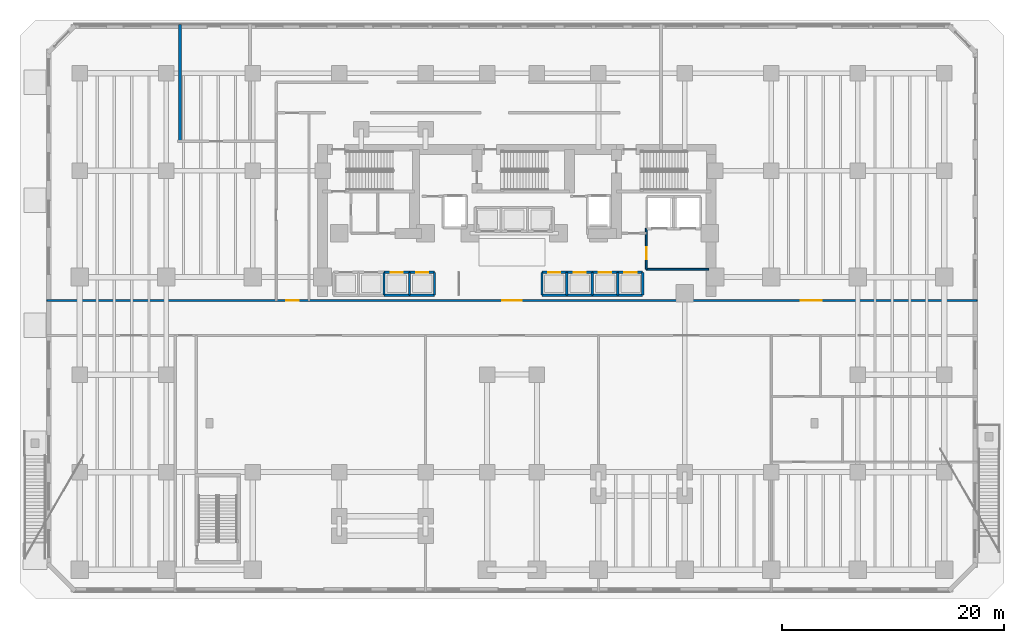
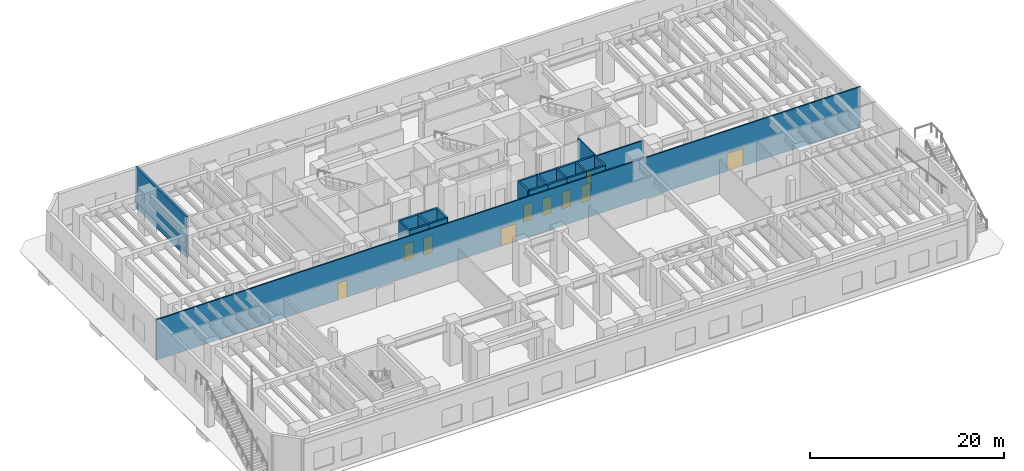
# One storey, part 7 of 17: 24 walls, 10 doors, 10 openings.
"""IFC4 building model written with IfcOpenShell, lengths in metres."""

from ifc_helpers import new_model, si_unit, direction, frame, frame_2d, origin, place, context, subcontext, project, spatial, rectangle, extrude, material, layer, layer_set, type_object, element, fill, save


model = new_model("IFC4")

# Units and contexts
model_context = context("Model", 3, precision=1e-05, world=origin(), true_north=direction((0.0, 1.0)))
body_context = subcontext(model_context, "Body", "Model", "MODEL_VIEW")
ifc_project = project(units=[si_unit("LENGTHUNIT", "METRE"), si_unit("AREAUNIT", "SQUARE_METRE"), si_unit("VOLUMEUNIT", "CUBIC_METRE"), si_unit("PLANEANGLEUNIT", "RADIAN"), si_unit("MASSUNIT", "GRAM", prefix="KILO")], contexts=[model_context])

# Site, building, storey
site_placement = place(None, origin())
site = spatial("IfcSite", under=ifc_project, at=site_placement, CompositionType="ELEMENT")
building_placement = place(site_placement, origin())
building = spatial("IfcBuilding", under=site, at=building_placement, Name="Kestravale Grand Hotel", CompositionType="ELEMENT")
storey_placement = place(building_placement, origin())
storey = spatial("IfcBuildingStorey", under=building, at=storey_placement, Name="L00", CompositionType="ELEMENT", Elevation=0.0)

# Wall, opening, door
ifc_material_1 = material(Name="Acoustic fire-rated gypsum board partition", Category="other")
ifc_layer_1 = layer(ifc_material_1, 0.159912109375)
ifc_layer_set_1 = layer_set([ifc_layer_1], Name="IW-CORR-160")
wall_type_1 = type_object("IfcWallType", Name="IW-CORR-160", PredefinedType="PARTITIONING", material=ifc_layer_set_1)
wall_1_placement = place(storey_placement, frame((51.1201171875, 29.5, 0.0), z_axis=(0.0, 0.0, 1.0), x_axis=(0.0, 1.0, 0.0)))
wall_1 = element("IfcWall", 1, at=wall_1_placement, inside=storey, type_object=wall_type_1, Name="W-L00-SVCLOB-W", PredefinedType="PARTITIONING", context=body_context, shape_type="SweptSolid", body=[
    extrude(rectangle(XDim=3.699951171875, YDim=0.159912109375, at=frame_2d((1.85009765625, 0.0))), origin(), (0.0, 0.0, 1.0), 5.10009765625),
])
opening_1_placement = place(wall_1_placement, frame((0.89990234375, 0.0, 0.0)))
opening_1 = element("IfcOpeningElement", 2, at=opening_1_placement, cuts=wall_1, Name="Opening D-CORR-1100", PredefinedType="OPENING", context=body_context, shape_type="SweptSolid", body=[
    extrude(rectangle(XDim=1.10009765625, YDim=2.14990234375, at=frame_2d((0.550048828125, 1.074951171875))), frame((0.0, 0.08984375, 0.0), z_axis=(0.0, -1.0, 0.0), x_axis=(1.0, 0.0, 0.0)), (0.0, 0.0, 1.0), 0.179931640625),
])
ifc_material_2 = material(Name="Single-leaf service vestibule fire door", Category="steel")
door_type_1 = type_object("IfcDoorType", Name="D-CORR-1100", OperationType="NOTDEFINED", PredefinedType="DOOR", material=ifc_material_2)
door_1_placement = place(opening_1_placement, origin())
door_1 = element("IfcDoor", 3, at=door_1_placement, inside=storey, type_object=door_type_1, Name="L00 service lift lobby door", OperationType="SINGLE_SWING_LEFT", OverallHeight=2.14990234375, OverallWidth=1.10009765625, PredefinedType="DOOR", context=body_context, shape_type="SweptSolid", body=[
    extrude(rectangle(XDim=1.10009765625, YDim=2.14990234375, at=frame_2d((0.550048828125, 1.074951171875))), frame((0.0, 0.02490234375, 0.0), z_axis=(0.0, -1.0, 0.0), x_axis=(1.0, 0.0, 0.0)), (0.0, 0.0, 1.0), 0.050048828125),
])
fill(opening_1, door_1)

# Wall
wall_2_placement = place(storey_placement, frame((51.1201171875, 29.5, 0.0), z_axis=(0.0, 0.0, 1.0), x_axis=(1.0, 0.0, 0.0)))
element("IfcWall", 4, at=wall_2_placement, inside=storey, type_object=wall_type_1, Name="L00 service lift lobby wall", PredefinedType="PARTITIONING", context=body_context, shape_type="SweptSolid", body=[
    extrude(rectangle(XDim=5.6298828125, YDim=0.159912109375, at=frame_2d((2.81494140625, 0.0))), origin(), (0.0, 0.0, 1.0), 5.10009765625),
])

# Wall, openings, doors
wall_3_placement = place(storey_placement, frame((-2.97998046875, 26.679931640625, 0.0), z_axis=(0.0, 0.0, 1.0), x_axis=(1.0, 0.0, 0.0)))
wall_3 = element("IfcWall", 5, at=wall_3_placement, inside=storey, type_object=wall_type_1, Name="W-L00-MC-N", PredefinedType="PARTITIONING", context=body_context, shape_type="SweptSolid", body=[
    extrude(rectangle(XDim=83.9599609375, YDim=0.159912109375, at=frame_2d((41.97998046875, 0.0))), origin(), (0.0, 0.0, 1.0), 5.10009765625),
])
opening_2_placement = place(wall_3_placement, frame((41.080078125, 0.0, 0.0)))
opening_2 = element("IfcOpeningElement", 6, at=opening_2_placement, cuts=wall_3, Name="Opening D-CORR-1800", PredefinedType="OPENING", context=body_context, shape_type="SweptSolid", body=[
    extrude(rectangle(XDim=1.800048828125, YDim=2.199951171875, at=frame_2d((0.89990234375, 1.10009765625))), frame((0.0, 0.08984375, 0.0), z_axis=(0.0, -1.0, 0.0), x_axis=(1.0, 0.0, 0.0)), (0.0, 0.0, 1.0), 0.179931640625),
])
opening_3_placement = place(wall_3_placement, frame((21.6298828125, 0.0, 0.0)))
opening_3 = element("IfcOpeningElement", 7, at=opening_3_placement, cuts=wall_3, Name="Opening D-CORR-1100", PredefinedType="OPENING", context=body_context, shape_type="SweptSolid", body=[
    extrude(rectangle(XDim=1.10009765625, YDim=2.14990234375, at=frame_2d((0.550048828125, 1.074951171875))), frame((0.0, 0.08984375, 0.0), z_axis=(0.0, -1.0, 0.0), x_axis=(1.0, 0.0, 0.0)), (0.0, 0.0, 1.0), 0.179931640625),
])
opening_4_placement = place(wall_3_placement, frame((68.030029296875, 0.0, 0.0)))
opening_4 = element("IfcOpeningElement", 8, at=opening_4_placement, cuts=wall_3, Name="Opening D-PLT-1900", PredefinedType="OPENING", context=body_context, shape_type="SweptSolid", body=[
    extrude(rectangle(XDim=1.89990234375, YDim=2.25, at=frame_2d((0.949951171875, 1.125))), frame((0.0, 0.08984375, 0.0), z_axis=(0.0, -1.0, 0.0), x_axis=(1.0, 0.0, 0.0)), (0.0, 0.0, 1.0), 0.179931640625),
])
door_2_placement = place(opening_3_placement, origin())
door_2 = element("IfcDoor", 9, at=door_2_placement, inside=storey, type_object=door_type_1, Name="L00 West Arrival Corridor South Door", OperationType="SINGLE_SWING_RIGHT", OverallHeight=2.14990234375, OverallWidth=1.10009765625, PredefinedType="DOOR", context=body_context, shape_type="SweptSolid", body=[
    extrude(rectangle(XDim=1.10009765625, YDim=2.14990234375, at=frame_2d((0.550048828125, 1.074951171875))), frame((0.0, 0.02490234375, 0.0), z_axis=(0.0, -1.0, 0.0), x_axis=(1.0, 0.0, 0.0)), (0.0, 0.0, 1.0), 0.050048828125),
])
fill(opening_3, door_2)
ifc_material_3 = material(Name="Double-leaf glazed bronze acoustic corridor fire door", Category="aluminium")
door_type_2 = type_object("IfcDoorType", Name="D-CORR-1800", OperationType="NOTDEFINED", PredefinedType="DOOR", material=ifc_material_3)
door_3_placement = place(opening_2_placement, origin())
door_3 = element("IfcDoor", 10, at=door_3_placement, inside=storey, type_object=door_type_2, Name="D-L00-MC-LFT", OperationType="DOUBLE_DOOR_SINGLE_SWING", OverallHeight=2.199951171875, OverallWidth=1.800048828125, PredefinedType="DOOR", context=body_context, shape_type="SweptSolid", body=[
    extrude(rectangle(XDim=1.800048828125, YDim=2.199951171875, at=frame_2d((0.89990234375, 1.10009765625))), frame((0.0, 0.02490234375, 0.0), z_axis=(0.0, -1.0, 0.0), x_axis=(1.0, 0.0, 0.0)), (0.0, 0.0, 1.0), 0.050048828125),
])
fill(opening_2, door_3)
ifc_material_4 = material(Name="Heavy-duty double plant room fire door", Category="steel")
door_type_3 = type_object("IfcDoorType", Name="D-PLT-1900", OperationType="NOTDEFINED", PredefinedType="DOOR", material=ifc_material_4)
door_4_placement = place(opening_4_placement, origin())
door_4 = element("IfcDoor", 11, at=door_4_placement, inside=storey, type_object=door_type_3, Name="D-L00-DOCK", OperationType="DOUBLE_DOOR_SINGLE_SWING", OverallHeight=2.25, OverallWidth=1.89990234375, PredefinedType="DOOR", context=body_context, shape_type="SweptSolid", body=[
    extrude(rectangle(XDim=1.89990234375, YDim=2.25, at=frame_2d((0.949951171875, 1.125))), frame((0.0, 0.02490234375, 0.0), z_axis=(0.0, -1.0, 0.0), x_axis=(1.0, 0.0, 0.0)), (0.0, 0.0, 1.0), 0.050048828125),
])
fill(opening_4, door_4)

# Walls
ifc_material_5 = material(Name="Concrete f'c 45 MPa", Category="concrete")
ifc_layer_2 = layer(ifc_material_5, 0.199951171875)
ifc_layer_set_2 = layer_set([ifc_layer_2], Name="IW-SHAFT-200")
wall_type_2 = type_object("IfcWallType", Name="IW-SHAFT-200", PredefinedType="SHEAR", material=ifc_layer_set_2)
for number, where, z_axis, x_axis, name in (
    (12, (27.449951171875, 27.169921875, 0.0), (0.0, 0.0, 1.0), (0.0, 1.0, 0.0), "L00 PL-L3 west shaft wall"),
    (13, (29.75, 27.169921875, 0.0), (0.0, 0.0, 1.0), (0.0, 1.0, 0.0), "L00 PL-L4 west shaft wall"),
    (14, (31.9951171875, 27.169921875, 0.0), (0.0, 0.0, 1.0), (0.0, 1.0, 0.0), "L00 PL-L4 east shaft wall"),
    (15, (41.705078125, 27.169921875, 0.0), (0.0, 0.0, 1.0), (0.0, 1.0, 0.0), "L00 PL-M1 west shaft wall"),
    (16, (43.949951171875, 27.169921875, 0.0), (0.0, 0.0, 1.0), (0.0, 1.0, 0.0), "L00 PL-M2 west shaft wall"),
    (17, (46.25, 27.169921875, 0.0), (0.0, 0.0, 1.0), (0.0, 1.0, 0.0), "L00 PL-M3 west shaft wall"),
    (18, (48.550048828125, 27.169921875, 0.0), (0.0, 0.0, 1.0), (0.0, 1.0, 0.0), "L00 PL-M4 west shaft wall"),
    (19, (50.794921875, 27.169921875, 0.0), (0.0, 0.0, 1.0), (0.0, 1.0, 0.0), "L00 PL-M4 east shaft wall"),
):
    element("IfcWall", number, at=place(storey_placement, frame(where, z_axis=z_axis, x_axis=x_axis)), inside=storey, type_object=wall_type_2, Name=name, PredefinedType="SHEAR", context=body_context, shape_type="SweptSolid", body=[
        extrude(rectangle(XDim=2.06005859375, YDim=0.199951171875, at=frame_2d((1.030029296875, 0.0))), origin(), (0.0, 0.0, 1.0), 5.39990234375),
    ])

# Wall, opening, door
ifc_material_6 = material(Name="Concrete f'c 45 MPa", Category="concrete")
ifc_layer_3 = layer(ifc_material_6, 0.219970703125)
ifc_layer_set_3 = layer_set([ifc_layer_3], Name="IW-SHAFT-220")
wall_type_3 = type_object("IfcWallType", Name="IW-SHAFT-220", PredefinedType="SHEAR", material=ifc_layer_set_3)
wall_4_placement = place(storey_placement, frame((27.449951171875, 29.22998046875, 0.0), z_axis=(0.0, 0.0, 1.0), x_axis=(1.0, 0.0, 0.0)))
wall_4 = element("IfcWall", 20, at=wall_4_placement, inside=storey, type_object=wall_type_3, Name="L00 PL-L3 north shaft wall", PredefinedType="SHEAR", context=body_context, shape_type="SweptSolid", body=[
    extrude(rectangle(XDim=2.300048828125, YDim=0.219970703125, at=frame_2d((1.14990234375, 0.0))), origin(), (0.0, 0.0, 1.0), 5.39990234375),
])
opening_5_placement = place(wall_4_placement, frame((0.60009765625, 0.0, 0.0)))
opening_5 = element("IfcOpeningElement", 21, at=opening_5_placement, cuts=wall_4, Name="Opening LD-PAX-1100", PredefinedType="OPENING", context=body_context, shape_type="SweptSolid", body=[
    extrude(rectangle(XDim=1.10009765625, YDim=2.14990234375, at=frame_2d((0.550048828125, 1.074951171875))), frame((0.0, 0.119873046875, 0.0), z_axis=(0.0, -1.0, 0.0), x_axis=(1.0, 0.0, 0.0)), (0.0, 0.0, 1.0), 0.239990234375),
])
ifc_material_7 = material(Name="Champagne-bronze center-opening sliding elevator landing door", Category="steel")
door_type_4 = type_object("IfcDoorType", Name="LD-PAX-1100", OperationType="NOTDEFINED", PredefinedType="DOOR", material=ifc_material_7)
door_5_placement = place(opening_5_placement, origin())
door_5 = element("IfcDoor", 22, at=door_5_placement, inside=storey, type_object=door_type_4, Name="L00 PL-L3 elevator landing sliding door", OperationType="DOUBLE_DOOR_SLIDING", OverallHeight=2.14990234375, OverallWidth=1.10009765625, PredefinedType="DOOR", context=body_context, shape_type="SweptSolid", body=[
    extrude(rectangle(XDim=1.10009765625, YDim=2.14990234375, at=frame_2d((0.550048828125, 1.074951171875))), frame((0.0, 0.02490234375, 0.0), z_axis=(0.0, -1.0, 0.0), x_axis=(1.0, 0.0, 0.0)), (0.0, 0.0, 1.0), 0.050048828125),
])
fill(opening_5, door_5)

# Wall
wall_5_placement = place(storey_placement, frame((27.449951171875, 27.169921875, 0.0), z_axis=(0.0, 0.0, 1.0), x_axis=(1.0, 0.0, 0.0)))
element("IfcWall", 23, at=wall_5_placement, inside=storey, type_object=wall_type_3, Name="L00 PL-L3 south shaft wall", PredefinedType="SHEAR", context=body_context, shape_type="SweptSolid", body=[
    extrude(rectangle(XDim=2.300048828125, YDim=0.219970703125, at=frame_2d((1.14990234375, 0.0))), origin(), (0.0, 0.0, 1.0), 5.39990234375),
])

# Wall, opening, door
wall_6_placement = place(storey_placement, frame((29.75, 29.22998046875, 0.0), z_axis=(0.0, 0.0, 1.0), x_axis=(1.0, 0.0, 0.0)))
wall_6 = element("IfcWall", 24, at=wall_6_placement, inside=storey, type_object=wall_type_3, Name="L00 PL-L4 north shaft wall", PredefinedType="SHEAR", context=body_context, shape_type="SweptSolid", body=[
    extrude(rectangle(XDim=2.2451171875, YDim=0.219970703125, at=frame_2d((1.12255859375, 0.0))), origin(), (0.0, 0.0, 1.0), 5.39990234375),
])
opening_6_placement = place(wall_6_placement, frame((0.60009765625, 0.0, 0.0)))
opening_6 = element("IfcOpeningElement", 25, at=opening_6_placement, cuts=wall_6, Name="Opening LD-PAX-1100", PredefinedType="OPENING", context=body_context, shape_type="SweptSolid", body=[
    extrude(rectangle(XDim=1.10009765625, YDim=2.14990234375, at=frame_2d((0.550048828125, 1.074951171875))), frame((0.0, 0.119873046875, 0.0), z_axis=(0.0, -1.0, 0.0), x_axis=(1.0, 0.0, 0.0)), (0.0, 0.0, 1.0), 0.239990234375),
])
door_6_placement = place(opening_6_placement, origin())
door_6 = element("IfcDoor", 26, at=door_6_placement, inside=storey, type_object=door_type_4, Name="L00 PL-L4 elevator landing sliding door", OperationType="DOUBLE_DOOR_SLIDING", OverallHeight=2.14990234375, OverallWidth=1.10009765625, PredefinedType="DOOR", context=body_context, shape_type="SweptSolid", body=[
    extrude(rectangle(XDim=1.10009765625, YDim=2.14990234375, at=frame_2d((0.550048828125, 1.074951171875))), frame((0.0, 0.02490234375, 0.0), z_axis=(0.0, -1.0, 0.0), x_axis=(1.0, 0.0, 0.0)), (0.0, 0.0, 1.0), 0.050048828125),
])
fill(opening_6, door_6)

# Wall
wall_7_placement = place(storey_placement, frame((29.75, 27.169921875, 0.0), z_axis=(0.0, 0.0, 1.0), x_axis=(1.0, 0.0, 0.0)))
element("IfcWall", 27, at=wall_7_placement, inside=storey, type_object=wall_type_3, Name="L00 PL-L4 south shaft wall", PredefinedType="SHEAR", context=body_context, shape_type="SweptSolid", body=[
    extrude(rectangle(XDim=2.2451171875, YDim=0.219970703125, at=frame_2d((1.12255859375, 0.0))), origin(), (0.0, 0.0, 1.0), 5.39990234375),
])

# Wall, opening, door
wall_8_placement = place(storey_placement, frame((41.705078125, 29.22998046875, 0.0), z_axis=(0.0, 0.0, 1.0), x_axis=(1.0, 0.0, 0.0)))
wall_8 = element("IfcWall", 28, at=wall_8_placement, inside=storey, type_object=wall_type_3, Name="L00 PL-M1 north shaft wall", PredefinedType="SHEAR", context=body_context, shape_type="SweptSolid", body=[
    extrude(rectangle(XDim=2.244873046875, YDim=0.219970703125, at=frame_2d((1.12255859375, 0.0))), origin(), (0.0, 0.0, 1.0), 5.39990234375),
])
opening_7_placement = place(wall_8_placement, frame((0.544921875, 0.0, 0.0)))
opening_7 = element("IfcOpeningElement", 29, at=opening_7_placement, cuts=wall_8, Name="Opening LD-PAX-1100", PredefinedType="OPENING", context=body_context, shape_type="SweptSolid", body=[
    extrude(rectangle(XDim=1.10009765625, YDim=2.14990234375, at=frame_2d((0.550048828125, 1.074951171875))), frame((0.0, 0.119873046875, 0.0), z_axis=(0.0, -1.0, 0.0), x_axis=(1.0, 0.0, 0.0)), (0.0, 0.0, 1.0), 0.239990234375),
])
door_7_placement = place(opening_7_placement, origin())
door_7 = element("IfcDoor", 30, at=door_7_placement, inside=storey, type_object=door_type_4, Name="L00 PL-M1 elevator landing sliding door", OperationType="DOUBLE_DOOR_SLIDING", OverallHeight=2.14990234375, OverallWidth=1.10009765625, PredefinedType="DOOR", context=body_context, shape_type="SweptSolid", body=[
    extrude(rectangle(XDim=1.10009765625, YDim=2.14990234375, at=frame_2d((0.550048828125, 1.074951171875))), frame((0.0, 0.02490234375, 0.0), z_axis=(0.0, -1.0, 0.0), x_axis=(1.0, 0.0, 0.0)), (0.0, 0.0, 1.0), 0.050048828125),
])
fill(opening_7, door_7)

# Wall
wall_9_placement = place(storey_placement, frame((41.705078125, 27.169921875, 0.0), z_axis=(0.0, 0.0, 1.0), x_axis=(1.0, 0.0, 0.0)))
element("IfcWall", 31, at=wall_9_placement, inside=storey, type_object=wall_type_3, Name="L00 PL-M1 south shaft wall", PredefinedType="SHEAR", context=body_context, shape_type="SweptSolid", body=[
    extrude(rectangle(XDim=2.244873046875, YDim=0.219970703125, at=frame_2d((1.12255859375, 0.0))), origin(), (0.0, 0.0, 1.0), 5.39990234375),
])

# Wall, opening, door
wall_10_placement = place(storey_placement, frame((43.949951171875, 29.22998046875, 0.0), z_axis=(0.0, 0.0, 1.0), x_axis=(1.0, 0.0, 0.0)))
wall_10 = element("IfcWall", 32, at=wall_10_placement, inside=storey, type_object=wall_type_3, Name="L00 PL-M2 north shaft wall", PredefinedType="SHEAR", context=body_context, shape_type="SweptSolid", body=[
    extrude(rectangle(XDim=2.300048828125, YDim=0.219970703125, at=frame_2d((1.14990234375, 0.0))), origin(), (0.0, 0.0, 1.0), 5.39990234375),
])
opening_8_placement = place(wall_10_placement, frame((0.60009765625, 0.0, 0.0)))
opening_8 = element("IfcOpeningElement", 33, at=opening_8_placement, cuts=wall_10, Name="Opening LD-PAX-1100", PredefinedType="OPENING", context=body_context, shape_type="SweptSolid", body=[
    extrude(rectangle(XDim=1.10009765625, YDim=2.14990234375, at=frame_2d((0.550048828125, 1.074951171875))), frame((0.0, 0.119873046875, 0.0), z_axis=(0.0, -1.0, 0.0), x_axis=(1.0, 0.0, 0.0)), (0.0, 0.0, 1.0), 0.239990234375),
])
door_8_placement = place(opening_8_placement, origin())
door_8 = element("IfcDoor", 34, at=door_8_placement, inside=storey, type_object=door_type_4, Name="L00 PL-M2 elevator landing sliding door", OperationType="DOUBLE_DOOR_SLIDING", OverallHeight=2.14990234375, OverallWidth=1.10009765625, PredefinedType="DOOR", context=body_context, shape_type="SweptSolid", body=[
    extrude(rectangle(XDim=1.10009765625, YDim=2.14990234375, at=frame_2d((0.550048828125, 1.074951171875))), frame((0.0, 0.02490234375, 0.0), z_axis=(0.0, -1.0, 0.0), x_axis=(1.0, 0.0, 0.0)), (0.0, 0.0, 1.0), 0.050048828125),
])
fill(opening_8, door_8)

# Wall
wall_11_placement = place(storey_placement, frame((43.949951171875, 27.169921875, 0.0), z_axis=(0.0, 0.0, 1.0), x_axis=(1.0, 0.0, 0.0)))
element("IfcWall", 35, at=wall_11_placement, inside=storey, type_object=wall_type_3, Name="L00 PL-M2 south shaft wall", PredefinedType="SHEAR", context=body_context, shape_type="SweptSolid", body=[
    extrude(rectangle(XDim=2.300048828125, YDim=0.219970703125, at=frame_2d((1.14990234375, 0.0))), origin(), (0.0, 0.0, 1.0), 5.39990234375),
])

# Wall, opening, door
wall_12_placement = place(storey_placement, frame((46.25, 29.22998046875, 0.0), z_axis=(0.0, 0.0, 1.0), x_axis=(1.0, 0.0, 0.0)))
wall_12 = element("IfcWall", 36, at=wall_12_placement, inside=storey, type_object=wall_type_3, Name="L00 PL-M3 north shaft wall", PredefinedType="SHEAR", context=body_context, shape_type="SweptSolid", body=[
    extrude(rectangle(XDim=2.300048828125, YDim=0.219970703125, at=frame_2d((1.14990234375, 0.0))), origin(), (0.0, 0.0, 1.0), 5.39990234375),
])
opening_9_placement = place(wall_12_placement, frame((0.60009765625, 0.0, 0.0)))
opening_9 = element("IfcOpeningElement", 37, at=opening_9_placement, cuts=wall_12, Name="Opening LD-PAX-1100", PredefinedType="OPENING", context=body_context, shape_type="SweptSolid", body=[
    extrude(rectangle(XDim=1.10009765625, YDim=2.14990234375, at=frame_2d((0.550048828125, 1.074951171875))), frame((0.0, 0.119873046875, 0.0), z_axis=(0.0, -1.0, 0.0), x_axis=(1.0, 0.0, 0.0)), (0.0, 0.0, 1.0), 0.239990234375),
])
door_9_placement = place(opening_9_placement, origin())
door_9 = element("IfcDoor", 38, at=door_9_placement, inside=storey, type_object=door_type_4, Name="L00 PL-M3 elevator landing sliding door", OperationType="DOUBLE_DOOR_SLIDING", OverallHeight=2.14990234375, OverallWidth=1.10009765625, PredefinedType="DOOR", context=body_context, shape_type="SweptSolid", body=[
    extrude(rectangle(XDim=1.10009765625, YDim=2.14990234375, at=frame_2d((0.550048828125, 1.074951171875))), frame((0.0, 0.02490234375, 0.0), z_axis=(0.0, -1.0, 0.0), x_axis=(1.0, 0.0, 0.0)), (0.0, 0.0, 1.0), 0.050048828125),
])
fill(opening_9, door_9)

# Wall
wall_13_placement = place(storey_placement, frame((46.25, 27.169921875, 0.0), z_axis=(0.0, 0.0, 1.0), x_axis=(1.0, 0.0, 0.0)))
element("IfcWall", 39, at=wall_13_placement, inside=storey, type_object=wall_type_3, Name="L00 PL-M3 south shaft wall", PredefinedType="SHEAR", context=body_context, shape_type="SweptSolid", body=[
    extrude(rectangle(XDim=2.300048828125, YDim=0.219970703125, at=frame_2d((1.14990234375, 0.0))), origin(), (0.0, 0.0, 1.0), 5.39990234375),
])

# Wall, opening, door
wall_14_placement = place(storey_placement, frame((48.550048828125, 29.22998046875, 0.0), z_axis=(0.0, 0.0, 1.0), x_axis=(1.0, 0.0, 0.0)))
wall_14 = element("IfcWall", 40, at=wall_14_placement, inside=storey, type_object=wall_type_3, Name="L00 PL-M4 north shaft wall", PredefinedType="SHEAR", context=body_context, shape_type="SweptSolid", body=[
    extrude(rectangle(XDim=2.244873046875, YDim=0.219970703125, at=frame_2d((1.12255859375, 0.0))), origin(), (0.0, 0.0, 1.0), 5.39990234375),
])
opening_10_placement = place(wall_14_placement, frame((0.60009765625, 0.0, 0.0)))
opening_10 = element("IfcOpeningElement", 41, at=opening_10_placement, cuts=wall_14, Name="Opening LD-PAX-1100", PredefinedType="OPENING", context=body_context, shape_type="SweptSolid", body=[
    extrude(rectangle(XDim=1.10009765625, YDim=2.14990234375, at=frame_2d((0.550048828125, 1.074951171875))), frame((0.0, 0.119873046875, 0.0), z_axis=(0.0, -1.0, 0.0), x_axis=(1.0, 0.0, 0.0)), (0.0, 0.0, 1.0), 0.239990234375),
])
door_10_placement = place(opening_10_placement, origin())
door_10 = element("IfcDoor", 42, at=door_10_placement, inside=storey, type_object=door_type_4, Name="L00 PL-M4 elevator landing sliding door", OperationType="DOUBLE_DOOR_SLIDING", OverallHeight=2.14990234375, OverallWidth=1.10009765625, PredefinedType="DOOR", context=body_context, shape_type="SweptSolid", body=[
    extrude(rectangle(XDim=1.10009765625, YDim=2.14990234375, at=frame_2d((0.550048828125, 1.074951171875))), frame((0.0, 0.02490234375, 0.0), z_axis=(0.0, -1.0, 0.0), x_axis=(1.0, 0.0, 0.0)), (0.0, 0.0, 1.0), 0.050048828125),
])
fill(opening_10, door_10)

# Walls
wall_15_placement = place(storey_placement, frame((48.550048828125, 27.169921875, 0.0), z_axis=(0.0, 0.0, 1.0), x_axis=(1.0, 0.0, 0.0)))
element("IfcWall", 43, at=wall_15_placement, inside=storey, type_object=wall_type_3, Name="L00 PL-M4 south shaft wall", PredefinedType="SHEAR", context=body_context, shape_type="SweptSolid", body=[
    extrude(rectangle(XDim=2.244873046875, YDim=0.219970703125, at=frame_2d((1.12255859375, 0.0))), origin(), (0.0, 0.0, 1.0), 5.39990234375),
])
ifc_material_8 = material(Name="Concrete f'c 45 MPa", Category="concrete")
ifc_layer_4 = layer(ifc_material_8, 0.25)
ifc_layer_set_4 = layer_set([ifc_layer_4], Name="IW-STAIR-250")
wall_type_4 = type_object("IfcWallType", Name="IW-STAIR-250", PredefinedType="SOLIDWALL", material=ifc_layer_set_4)
wall_16_placement = place(storey_placement, frame((9.050048828125, 41.050048828125, 0.0), z_axis=(0.0, 0.0, 1.0), x_axis=(0.0, 1.0, 0.0)))
element("IfcWall", 44, at=wall_16_placement, inside=storey, type_object=wall_type_4, Name="W-L00-FCC-W", PredefinedType="SOLIDWALL", context=body_context, shape_type="SweptSolid", body=[
    extrude(rectangle(XDim=10.530029296875, YDim=0.25, at=frame_2d((5.26513671875, 0.0))), origin(), (0.0, 0.0, 1.0), 5.10009765625),
])

save(model, "model.ifc")
